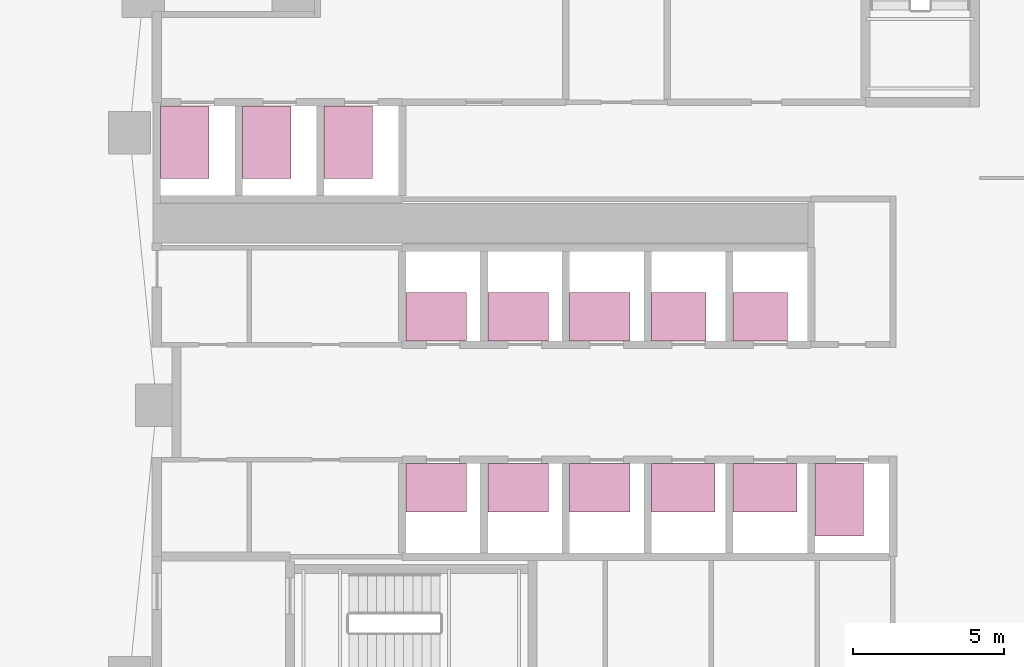
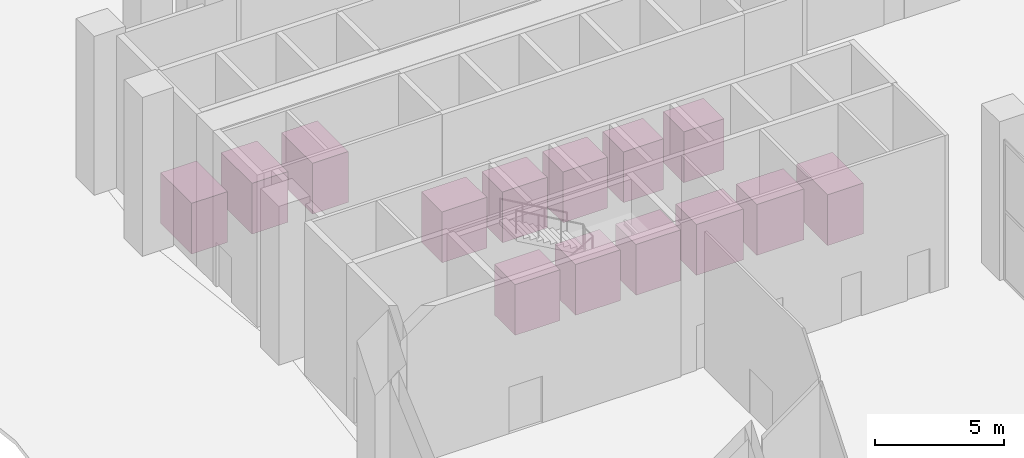
# One storey, part 16 of 16: 14 transport elements.
"""IFC4 building model written with IfcOpenShell, lengths in metres."""

from ifc_helpers import new_model, si_unit, direction, frame, origin, origin_2d, place, context, subcontext, project, spatial, rectangle, extrude, material, type_object, element, save


model = new_model("IFC4")

# Units and contexts
model_context = context("Model", 3, precision=1e-05, world=origin(), true_north=direction((0.0, 1.0)))
body_context = subcontext(model_context, "Body", "Model", "MODEL_VIEW")
ifc_project = project(units=[si_unit("LENGTHUNIT", "METRE"), si_unit("AREAUNIT", "SQUARE_METRE"), si_unit("VOLUMEUNIT", "CUBIC_METRE"), si_unit("PLANEANGLEUNIT", "RADIAN"), si_unit("MASSUNIT", "GRAM", prefix="KILO")], contexts=[model_context])

# Site, building, storey
site_placement = place(None, origin())
site = spatial("IfcSite", under=ifc_project, at=site_placement, CompositionType="ELEMENT")
building_placement = place(site_placement, origin())
building = spatial("IfcBuilding", under=site, at=building_placement, Name="Brondeck Convention Tower", CompositionType="ELEMENT")
storey_placement = place(building_placement, origin())
storey = spatial("IfcBuildingStorey", under=building, at=storey_placement, Name="L00", CompositionType="ELEMENT", Elevation=0.0)

# Transport elements
ifc_material = material(Name="Stainless steel lift car", Category="steel")
transport_element_type_1 = type_object("IfcTransportElementType", Name="Passenger lift car 1600 kg 1600x2400", PredefinedType="ELEVATOR", material=ifc_material)
for number, where, z_axis, x_axis, name in (
    (1, (22.52490234375, 41.875, 0.0), (0.0, 0.0, 1.0), (1.0, 0.0, 0.0), "Lift HS1 car"),
    (2, (0.925048828125, 53.675048828125, 0.0), (0.0, 0.0, 1.0), (1.0, 0.0, 0.0), "Lift FF1 car"),
    (3, (3.625, 53.675048828125, 0.0), (0.0, 0.0, 1.0), (1.0, 0.0, 0.0), "Lift FF2 car"),
    (4, (6.324951171875, 53.675048828125, 0.0), (0.0, 0.0, 1.0), (1.0, 0.0, 0.0), "Lift FF3 car"),
):
    element("IfcTransportElement", number, at=place(storey_placement, frame(where, z_axis=z_axis, x_axis=x_axis)), inside=storey, type_object=transport_element_type_1, Name=name, PredefinedType="ELEVATOR", context=body_context, shape_type="SweptSolid", body=[
        extrude(rectangle(XDim=1.60009765625, YDim=2.39990234375, at=origin_2d()), origin(), (0.0, 0.0, 1.0), 2.39990234375),
    ])
transport_element_type_2 = type_object("IfcTransportElementType", Name="Passenger lift car 1600 kg 1800x1600", PredefinedType="ELEVATOR", material=ifc_material)
for number, where, z_axis, x_axis, name in (
    (5, (17.22509765625, 47.925048828125, 0.0), (0.0, 0.0, 1.0), (1.0, 0.0, 0.0), "Lift PL1 car"),
    (6, (19.925048828125, 47.925048828125, 0.0), (0.0, 0.0, 1.0), (1.0, 0.0, 0.0), "Lift PL2 car"),
):
    element("IfcTransportElement", number, at=place(storey_placement, frame(where, z_axis=z_axis, x_axis=x_axis)), inside=storey, type_object=transport_element_type_2, Name=name, PredefinedType="ELEVATOR", context=body_context, shape_type="SweptSolid", body=[
        extrude(rectangle(XDim=1.800048828125, YDim=1.60009765625, at=origin_2d()), origin(), (0.0, 0.0, 1.0), 2.39990234375),
    ])
transport_element_type_3 = type_object("IfcTransportElementType", Name="Passenger lift car 1600 kg 2000x1600", PredefinedType="ELEVATOR", material=ifc_material)
for number, where, z_axis, x_axis, name in (
    (7, (9.22509765625, 42.27490234375, 0.0), (0.0, 0.0, 1.0), (1.0, 0.0, 0.0), "Lift LR1 car"),
    (8, (9.22509765625, 47.925048828125, 0.0), (0.0, 0.0, 1.0), (1.0, 0.0, 0.0), "Lift LR4 car"),
    (9, (11.925048828125, 42.27490234375, 0.0), (0.0, 0.0, 1.0), (1.0, 0.0, 0.0), "Lift LR2 car"),
    (10, (11.925048828125, 47.925048828125, 0.0), (0.0, 0.0, 1.0), (1.0, 0.0, 0.0), "Lift LR5 car"),
    (11, (14.625, 42.27490234375, 0.0), (0.0, 0.0, 1.0), (1.0, 0.0, 0.0), "Lift LR3 car"),
    (12, (14.625, 47.925048828125, 0.0), (0.0, 0.0, 1.0), (1.0, 0.0, 0.0), "Lift LR6 car"),
):
    element("IfcTransportElement", number, at=place(storey_placement, frame(where, z_axis=z_axis, x_axis=x_axis)), inside=storey, type_object=transport_element_type_3, Name=name, PredefinedType="ELEVATOR", context=body_context, shape_type="SweptSolid", body=[
        extrude(rectangle(XDim=2.0, YDim=1.60009765625, at=origin_2d()), origin(), (0.0, 0.0, 1.0), 2.39990234375),
    ])
transport_element_type_4 = type_object("IfcTransportElementType", Name="Passenger lift car 2000 kg 2100x1600", PredefinedType="ELEVATOR", material=ifc_material)
for number, where, z_axis, x_axis, name in (
    (13, (17.375, 42.27490234375, 0.0), (0.0, 0.0, 1.0), (1.0, 0.0, 0.0), "Lift SH1 car"),
    (14, (20.074951171875, 42.27490234375, 0.0), (0.0, 0.0, 1.0), (1.0, 0.0, 0.0), "Lift SH2 car"),
):
    element("IfcTransportElement", number, at=place(storey_placement, frame(where, z_axis=z_axis, x_axis=x_axis)), inside=storey, type_object=transport_element_type_4, Name=name, PredefinedType="ELEVATOR", context=body_context, shape_type="SweptSolid", body=[
        extrude(rectangle(XDim=2.10009765625, YDim=1.60009765625, at=origin_2d()), origin(), (0.0, 0.0, 1.0), 2.39990234375),
    ])

save(model, "model.ifc")
